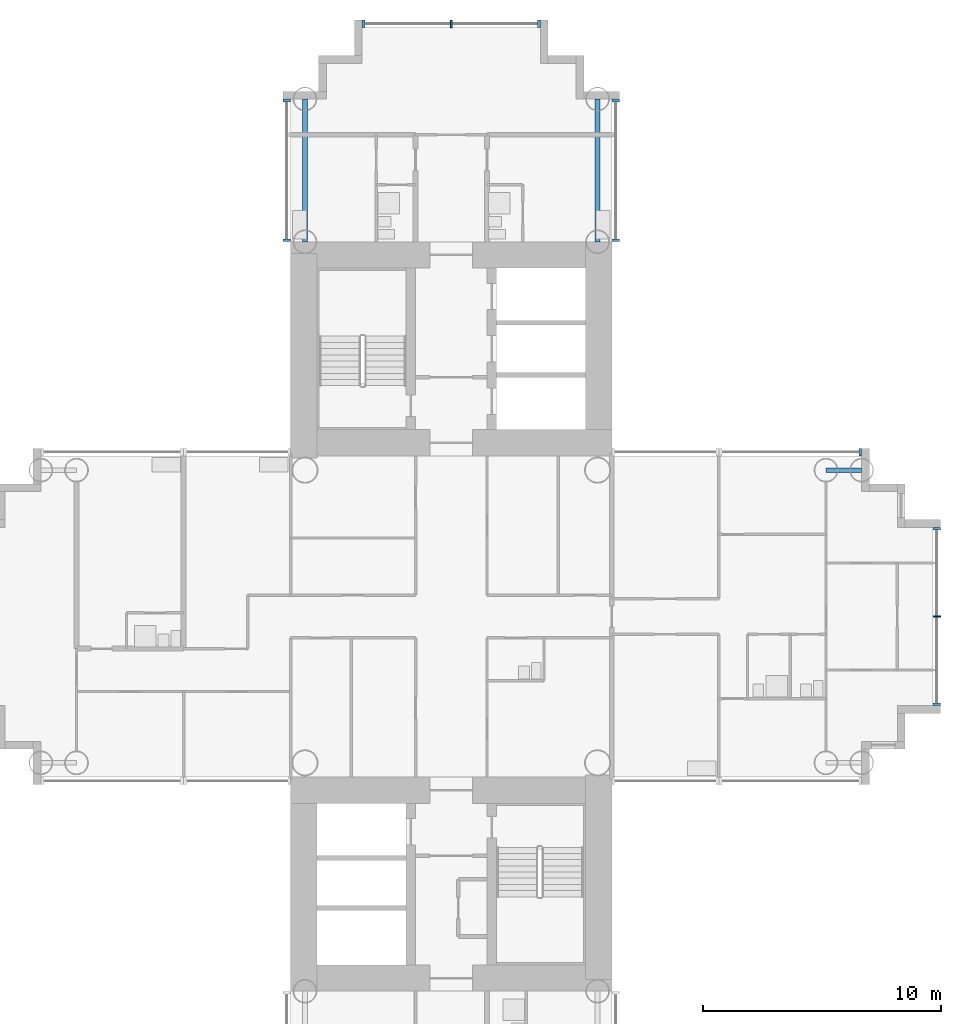
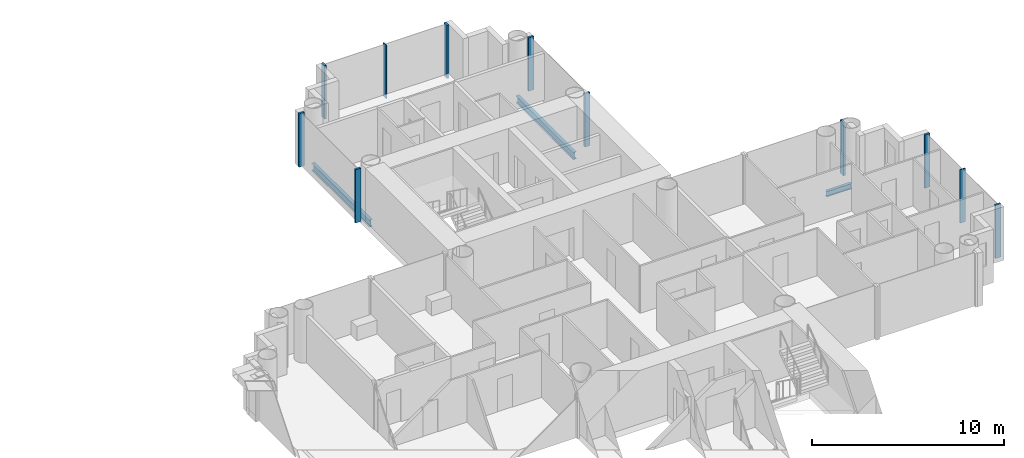
# One storey, part 6 of 22: 11 members, 3 beams, 5 elements without a shape of their own.
"""IFC4 building model written with IfcOpenShell, lengths in metres."""

from ifc_helpers import new_model, si_unit, direction, frame, origin, origin_2d, place, context, subcontext, project, spatial, rectangle, i_section, extrude, material, layer, layer_set, material_profile, profile_set, type_object, element, aggregate, save


model = new_model("IFC4")

# Units and contexts
model_context = context("Model", 3, precision=1e-05, world=origin(), true_north=direction((0.0, 1.0)))
body_context = subcontext(model_context, "Body", "Model", "MODEL_VIEW")
ifc_project = project(units=[si_unit("LENGTHUNIT", "METRE"), si_unit("AREAUNIT", "SQUARE_METRE"), si_unit("VOLUMEUNIT", "CUBIC_METRE"), si_unit("PLANEANGLEUNIT", "RADIAN"), si_unit("MASSUNIT", "GRAM", prefix="KILO")], contexts=[model_context])

# Site, building, storey
site_placement = place(None, origin())
site = spatial("IfcSite", under=ifc_project, at=site_placement, CompositionType="ELEMENT")
building_placement = place(site_placement, origin())
building = spatial("IfcBuilding", under=site, at=building_placement, Name="Ipe Terrace Towers", CompositionType="ELEMENT")
storey_placement = place(building_placement, frame((0.0, 0.0, 68.699951171875)))
storey = spatial("IfcBuildingStorey", under=building, at=storey_placement, Name="L18", CompositionType="ELEMENT", Elevation=68.699951171875)

# Beams
ifc_material_1 = material(Name="Steel S355", Category="steel")
ifc_material_profile_1 = material_profile(ifc_material_1, i_section(OverallWidth=0.175048828125, OverallDepth=0.35009765625, WebThickness=0.007080078125, FlangeThickness=0.010986328125, at=origin_2d()), Name="H-350x175x7x11")
ifc_profile_set_1 = profile_set([ifc_material_profile_1], Name="Steel S355")
beam_type_1 = type_object("IfcBeamType", Name="H04 EDGE BEAM H-350x175x7x11", PredefinedType="BEAM", material=ifc_profile_set_1)
beam_placement = place(storey_placement, frame((51.75, 6.14990234375, -0.574951171875), z_axis=(1.0, 0.0, 0.0), x_axis=(0.0, 1.0, 0.0)))
element("IfcBeam", 1, at=beam_placement, inside=storey, type_object=beam_type_1, Name="Edge beam T2-EB-D04-D06", PredefinedType="BEAM", context=body_context, shape_type="SweptSolid", body=[
    extrude(i_section(OverallWidth=0.175048828125, OverallDepth=0.35009765625, WebThickness=0.007080078125, FlangeThickness=0.010986328125, at=origin_2d()), origin(), (0.0, 0.0, 1.0), 1.5),
])
ifc_material_2 = material(Name="Steel S355", Category="steel")
ifc_material_profile_2 = material_profile(ifc_material_2, i_section(OverallWidth=0.199951171875, OverallDepth=0.449951171875, WebThickness=0.009033203125, FlangeThickness=0.013916015625, at=origin_2d()), Name="H-450x200x9x14")
ifc_profile_set_2 = profile_set([ifc_material_profile_2], Name="Steel S355")
beam_type_2 = type_object("IfcBeamType", Name="H08 EDGE BEAM H-450x200x9x14", PredefinedType="BEAM", material=ifc_profile_set_2)
for number, where, z_axis, x_axis, name in (
    (2, (42.14990234375, 15.75, -0.625), (0.0, 1.0, 0.0), (-1.0, 0.0, 0.0), "Edge beam T2-EB-A01-A03"),
    (3, (29.85009765625, 15.75, -0.625), (0.0, 1.0, 0.0), (-1.0, 0.0, 0.0), "Edge beam T2-EB-A02-A04"),
):
    element("IfcBeam", number, at=place(storey_placement, frame(where, z_axis=z_axis, x_axis=x_axis)), inside=storey, type_object=beam_type_2, Name=name, PredefinedType="BEAM", context=body_context, shape_type="SweptSolid", body=[
        extrude(i_section(OverallWidth=0.199951171875, OverallDepth=0.449951171875, WebThickness=0.009033203125, FlangeThickness=0.013916015625, at=origin_2d()), origin(), (0.0, 0.0, 1.0), 6.0),
    ])

# Curtain wall, members
ifc_material_3 = material(Name="Aluminium alloy 6063-T6", Category="aluminium")
ifc_layer = layer(ifc_material_3, 0.320068359375)
ifc_layer_set = layer_set([ifc_layer], Name="TOWER UNITISED CURTAIN WALL")
curtain_wall_type = type_object("IfcCurtainWallType", Name="TOWER UNITISED CURTAIN WALL", PredefinedType="NOTDEFINED", material=ifc_layer_set)
curtain_wall_1_placement = place(storey_placement, origin())
curtain_wall_1 = element("IfcCurtainWall", 4, at=curtain_wall_1_placement, inside=storey, type_object=curtain_wall_type, Name="T2-CW-L18-12a curtain wall", PredefinedType="NOTDEFINED")
ifc_material_4 = material(Name="Aluminium alloy 6063-T6", Category="aluminium")
ifc_material_profile_3 = material_profile(ifc_material_4, rectangle(XDim=0.320068359375, YDim=0.1201171875, at=origin_2d()), Name="TOWER UNITISED CORNER MULLION 320 x 120")
ifc_profile_set_3 = profile_set([ifc_material_profile_3], Name="Aluminium alloy 6063-T6")
member_type_1 = type_object("IfcMemberType", Name="TOWER UNITISED CORNER MULLION 320 x 120", PredefinedType="MULLION", material=ifc_profile_set_3)
member_1_placement = place(storey_placement, frame((56.409912109375, -3.68994140625, -0.300048828125), z_axis=(0.0, 0.0, 1.0), x_axis=(1.0, 0.0, 0.0)))
member_1 = element("IfcMember", 5, at=member_1_placement, type_object=member_type_1, Name="T2-CW-L18-12a mullion 1", PredefinedType="MULLION", context=body_context, shape_type="SweptSolid", body=[
    extrude(rectangle(XDim=0.320068359375, YDim=0.1201171875, at=origin_2d()), origin(), (0.0, 0.0, 1.0), 3.400146484375),
])
member_2_placement = place(storey_placement, frame((56.409912109375, 3.68994140625, -0.300048828125), z_axis=(0.0, 0.0, 1.0), x_axis=(1.0, 0.0, 0.0)))
member_2 = element("IfcMember", 6, at=member_2_placement, type_object=member_type_1, Name="T2-CW-L18-12a mullion 3", PredefinedType="MULLION", context=body_context, shape_type="SweptSolid", body=[
    extrude(rectangle(XDim=0.320068359375, YDim=0.1201171875, at=origin_2d()), origin(), (0.0, 0.0, 1.0), 3.400146484375),
])

# Curtain wall, member
curtain_wall_2_placement = place(storey_placement, origin())
curtain_wall_2 = element("IfcCurtainWall", 7, at=curtain_wall_2_placement, inside=storey, type_object=curtain_wall_type, Name="T2-CW-L18-17a curtain wall", PredefinedType="NOTDEFINED")
member_3_placement = place(storey_placement, frame((53.18994140625, 6.909912109375, -0.300048828125), z_axis=(0.0, 0.0, 1.0), x_axis=(0.0, 1.0, 0.0)))
member_3 = element("IfcMember", 8, at=member_3_placement, type_object=member_type_1, Name="T2-CW-L18-17a mullion 1", PredefinedType="MULLION", context=body_context, shape_type="SweptSolid", body=[
    extrude(rectangle(XDim=0.320068359375, YDim=0.1201171875, at=origin_2d()), origin(), (0.0, 0.0, 1.0), 3.400146484375),
])
aggregate(curtain_wall_2, [member_3])

# Curtain wall, members
curtain_wall_3_placement = place(storey_placement, origin())
curtain_wall_3 = element("IfcCurtainWall", 9, at=curtain_wall_3_placement, inside=storey, type_object=curtain_wall_type, Name="T2-CW-L18-20b curtain wall", PredefinedType="NOTDEFINED")
member_4_placement = place(storey_placement, frame((42.909912109375, 15.81103515625, -0.300048828125), z_axis=(0.0, 0.0, 1.0), x_axis=(1.0, 0.0, 0.0)))
member_4 = element("IfcMember", 10, at=member_4_placement, type_object=member_type_1, Name="T2-CW-L18-20b mullion 1", PredefinedType="MULLION", context=body_context, shape_type="SweptSolid", body=[
    extrude(rectangle(XDim=0.320068359375, YDim=0.1201171875, at=origin_2d()), origin(), (0.0, 0.0, 1.0), 3.400146484375),
])
member_5_placement = place(storey_placement, frame((42.909912109375, 21.68994140625, -0.300048828125), z_axis=(0.0, 0.0, 1.0), x_axis=(1.0, 0.0, 0.0)))
member_5 = element("IfcMember", 11, at=member_5_placement, type_object=member_type_1, Name="T2-CW-L18-20b mullion 2", PredefinedType="MULLION", context=body_context, shape_type="SweptSolid", body=[
    extrude(rectangle(XDim=0.320068359375, YDim=0.1201171875, at=origin_2d()), origin(), (0.0, 0.0, 1.0), 3.400146484375),
])
aggregate(curtain_wall_3, [member_4, member_5])

curtain_wall_4_placement = place(storey_placement, origin())
curtain_wall_4 = element("IfcCurtainWall", 12, at=curtain_wall_4_placement, inside=storey, type_object=curtain_wall_type, Name="T2-CW-L18-25a curtain wall", PredefinedType="NOTDEFINED")
member_6_placement = place(storey_placement, frame((39.68994140625, 24.909912109375, -0.300048828125), z_axis=(0.0, 0.0, 1.0), x_axis=(0.0, 1.0, 0.0)))
member_6 = element("IfcMember", 13, at=member_6_placement, type_object=member_type_1, Name="T2-CW-L18-25a mullion 1", PredefinedType="MULLION", context=body_context, shape_type="SweptSolid", body=[
    extrude(rectangle(XDim=0.320068359375, YDim=0.1201171875, at=origin_2d()), origin(), (0.0, 0.0, 1.0), 3.400146484375),
])
member_7_placement = place(storey_placement, frame((32.31005859375, 24.909912109375, -0.300048828125), z_axis=(0.0, 0.0, 1.0), x_axis=(0.0, 1.0, 0.0)))
member_7 = element("IfcMember", 14, at=member_7_placement, type_object=member_type_1, Name="T2-CW-L18-25a mullion 3", PredefinedType="MULLION", context=body_context, shape_type="SweptSolid", body=[
    extrude(rectangle(XDim=0.320068359375, YDim=0.1201171875, at=origin_2d()), origin(), (0.0, 0.0, 1.0), 3.400146484375),
])

curtain_wall_5_placement = place(storey_placement, origin())
curtain_wall_5 = element("IfcCurtainWall", 15, at=curtain_wall_5_placement, inside=storey, type_object=curtain_wall_type, Name="T2-CW-L18-30a curtain wall", PredefinedType="NOTDEFINED")
member_8_placement = place(storey_placement, frame((29.090087890625, 21.68994140625, -0.300048828125), z_axis=(0.0, 0.0, 1.0), x_axis=(-1.0, 0.0, 0.0)))
member_8 = element("IfcMember", 16, at=member_8_placement, type_object=member_type_1, Name="T2-CW-L18-30a mullion 1", PredefinedType="MULLION", context=body_context, shape_type="SweptSolid", body=[
    extrude(rectangle(XDim=0.320068359375, YDim=0.1201171875, at=origin_2d()), origin(), (0.0, 0.0, 1.0), 3.400146484375),
])
member_9_placement = place(storey_placement, frame((29.090087890625, 15.81103515625, -0.300048828125), z_axis=(0.0, 0.0, 1.0), x_axis=(-1.0, 0.0, 0.0)))
member_9 = element("IfcMember", 17, at=member_9_placement, type_object=member_type_1, Name="T2-CW-L18-30a mullion 2", PredefinedType="MULLION", context=body_context, shape_type="SweptSolid", body=[
    extrude(rectangle(XDim=0.320068359375, YDim=0.1201171875, at=origin_2d()), origin(), (0.0, 0.0, 1.0), 3.400146484375),
])
aggregate(curtain_wall_5, [member_8, member_9])

# Member
ifc_material_5 = material(Name="Aluminium alloy 6063-T6", Category="aluminium")
ifc_material_profile_4 = material_profile(ifc_material_5, rectangle(XDim=0.320068359375, YDim=0.06494140625, at=origin_2d()), Name="TOWER UNITISED MULLION 320 x 65")
ifc_profile_set_4 = profile_set([ifc_material_profile_4], Name="Aluminium alloy 6063-T6")
member_type_2 = type_object("IfcMemberType", Name="TOWER UNITISED MULLION 320 x 65", PredefinedType="MULLION", material=ifc_profile_set_4)
member_10_placement = place(storey_placement, frame((56.409912109375, 0.0, -0.300048828125), z_axis=(0.0, 0.0, 1.0), x_axis=(1.0, 0.0, 0.0)))
member_10 = element("IfcMember", 18, at=member_10_placement, type_object=member_type_2, Name="T2-CW-L18-12a mullion 2", PredefinedType="MULLION", context=body_context, shape_type="SweptSolid", body=[
    extrude(rectangle(XDim=0.320068359375, YDim=0.06494140625, at=origin_2d()), origin(), (0.0, 0.0, 1.0), 3.400146484375),
])

aggregate(curtain_wall_1, [member_1, member_10, member_2])

member_11_placement = place(storey_placement, frame((36.0, 24.909912109375, -0.300048828125), z_axis=(0.0, 0.0, 1.0), x_axis=(0.0, 1.0, 0.0)))
member_11 = element("IfcMember", 19, at=member_11_placement, type_object=member_type_2, Name="T2-CW-L18-25a mullion 2", PredefinedType="MULLION", context=body_context, shape_type="SweptSolid", body=[
    extrude(rectangle(XDim=0.320068359375, YDim=0.06494140625, at=origin_2d()), origin(), (0.0, 0.0, 1.0), 3.400146484375),
])

aggregate(curtain_wall_4, [member_6, member_11, member_7])

save(model, "model.ifc")
